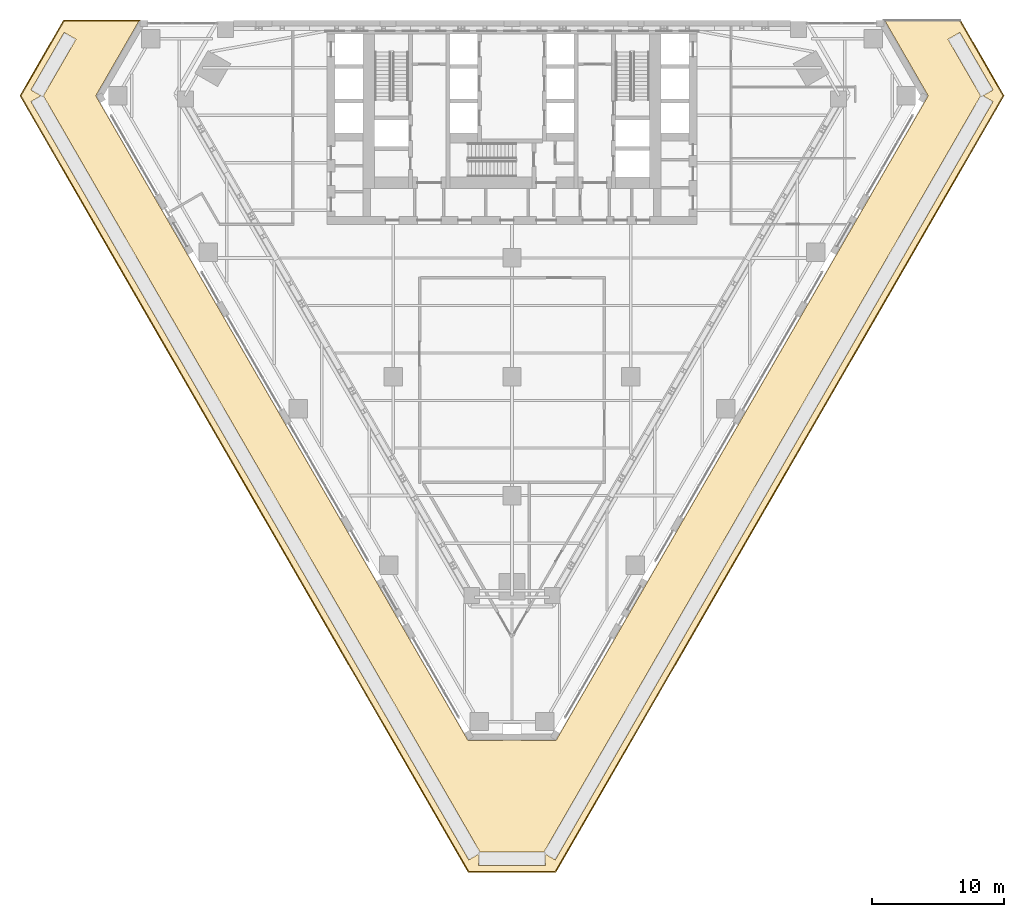
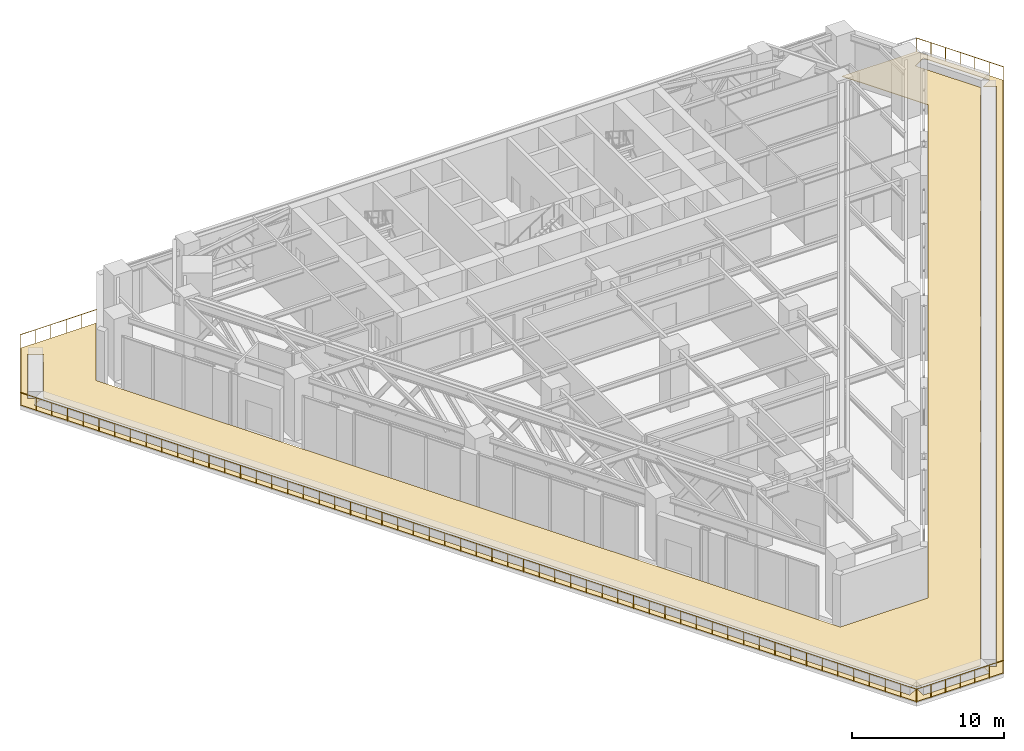
# One storey, part 23 of 25: 1 covering, 1 railing.
"""IFC4 building model written with IfcOpenShell, lengths in metres."""

import ifcopenshell
import ifcopenshell.guid

model = None  # the IFC model being written
_history = None  # IfcOwnerHistory: only IFC2X3 demands one
_inside = {}  # id of a spatial element -> (the spatial element, [elements in it])
_under = {}  # id of a project, library or spatial element -> (it, [spatial elements below it])
_declared = {}  # id of a project -> (the project, [libraries it declares])
_typed = {}  # id of a type object -> (the type object, [elements of that type])
_made_of = {}  # id of a material, layer set ... -> (it, [elements and type objects made of it])


def new_model(schema):
    """Start an empty IFC model of exactly this schema.

    Asked for "IFC4X3", IfcOpenShell would pick the latest addendum, in which some entities
    have other attributes; the version numbers below select the first issue.
    IFC2X3 requires an IfcOwnerHistory on every rooted entity: one is made here for all.
    """
    global model, _history
    if schema == "IFC4X3":
        model = ifcopenshell.file(schema_version=(4, 3, 0, 0))
    else:
        model = ifcopenshell.file(schema=schema)
    _inside.clear()
    _under.clear()
    _declared.clear()
    _typed.clear()
    _made_of.clear()
    _history = None
    if model.schema == "IFC2X3":
        org = make("IfcOrganization", Name="unknown")
        user = make(
            "IfcPersonAndOrganization",
            ThePerson=make("IfcPerson", FamilyName="unknown"),
            TheOrganization=org,
        )
        app = make(
            "IfcApplication",
            ApplicationDeveloper=org,
            Version="unknown",
            ApplicationFullName="unknown",
            ApplicationIdentifier="unknown",
        )
        _history = make(
            "IfcOwnerHistory",
            OwningUser=user,
            OwningApplication=app,
            ChangeAction="ADDED",
            CreationDate=0,
        )
    return model


def make(cls, **values):
    """One entity of the class cls with the attributes given. An attribute that is None is left unset."""
    return model.create_entity(
        cls, **{name: value for name, value in values.items() if value is not None}
    )


def rooted(cls, **values):
    """An entity with a GlobalId (a new one), such as an element, a storey or a relation."""
    return make(cls, GlobalId=ifcopenshell.guid.new(), OwnerHistory=_history, **values)


def si_unit(unit_type, name, prefix=None):
    """IfcSIUnit, for example si_unit("LENGTHUNIT", "METRE", prefix="MILLI")."""
    return make("IfcSIUnit", UnitType=unit_type, Prefix=prefix, Name=name)


def assignment(units):
    """IfcUnitAssignment: the units of a project."""
    return None if units is None else make("IfcUnitAssignment", Units=units)


def point(xyz):
    """IfcCartesianPoint."""
    return None if xyz is None else make("IfcCartesianPoint", Coordinates=xyz)


def direction(xyz):
    """IfcDirection."""
    return None if xyz is None else make("IfcDirection", DirectionRatios=xyz)


def frame(location, z_axis=None, x_axis=None):
    """IfcAxis2Placement3D, a coordinate frame: its origin and axes. An axis left out is left unset."""
    return make(
        "IfcAxis2Placement3D",
        Location=point(location),
        Axis=direction(z_axis),
        RefDirection=direction(x_axis),
    )


def frame_2d(location, x_axis=None):
    """IfcAxis2Placement2D, a coordinate frame in the plane: its origin and x axis."""
    return make(
        "IfcAxis2Placement2D", Location=point(location), RefDirection=direction(x_axis)
    )


def origin():
    """The frame at (0, 0, 0) with its axes left unset."""
    return frame((0.0, 0.0, 0.0))


def origin_2d():
    """The frame at (0, 0) in the plane with its x axis left unset."""
    return frame_2d((0.0, 0.0))


def place(relative_to, where):
    """IfcLocalPlacement: puts the frame where relative to a parent placement (None: the world)."""
    return make(
        "IfcLocalPlacement", PlacementRelTo=relative_to, RelativePlacement=where
    )


def context(
    kind, dimensions, precision=None, world=None, true_north=None, identifier=None
):
    """IfcGeometricRepresentationContext, for example the 3D "Model" context."""
    return make(
        "IfcGeometricRepresentationContext",
        ContextIdentifier=identifier,
        ContextType=kind,
        CoordinateSpaceDimension=dimensions,
        Precision=precision,
        WorldCoordinateSystem=world,
        TrueNorth=true_north,
    )


def subcontext(parent, identifier, kind, view, scale=None):
    """IfcGeometricRepresentationSubContext, for example "Body" below "Model"."""
    return make(
        "IfcGeometricRepresentationSubContext",
        ContextIdentifier=identifier,
        ContextType=kind,
        ParentContext=parent,
        TargetScale=scale,
        TargetView=view,
    )


def project(units=None, contexts=None):
    """IfcProject with its units and contexts."""
    return rooted(
        "IfcProject",
        Name="project",
        RepresentationContexts=contexts,
        UnitsInContext=assignment(units),
    )


def spatial(cls, under=None, at=None, **own):
    """A site, building, storey or space (cls), placed at a placement, below another one or the project."""
    s = rooted(cls, ObjectPlacement=at, **own)
    if under is not None:
        _under.setdefault(under.id(), (under, []))[1].append(s)
    return s


def polyline(points):
    """IfcPolyline through the points."""
    return make("IfcPolyline", Points=[point(p) for p in points])


def profile(cls, at=None, kind="AREA", **sizes):
    """A parametric profile (cls). Its sizes go by their IFC names, for example OverallWidth=200.0."""
    return make(cls, ProfileType=kind, Position=at, **sizes)


def circle(**sizes):
    """IfcCircleProfileDef."""
    return profile("IfcCircleProfileDef", **sizes)


def outline(outer, holes=None, kind="AREA"):
    """IfcArbitraryClosedProfileDef: a profile drawn as a closed curve; with holes, ...WithVoids."""
    if holes is None:
        return make("IfcArbitraryClosedProfileDef", ProfileType=kind, OuterCurve=outer)
    return make(
        "IfcArbitraryProfileDefWithVoids",
        ProfileType=kind,
        OuterCurve=outer,
        InnerCurves=holes,
    )


def extrude(swept, where, along, depth):
    """IfcExtrudedAreaSolid: the profile swept, set in the frame where, extruded along a direction by depth."""
    return make(
        "IfcExtrudedAreaSolid",
        SweptArea=swept,
        Position=where,
        ExtrudedDirection=direction(along),
        Depth=depth,
    )


def shape(context_of_items, identifier, shape_type, items):
    """IfcShapeRepresentation: the items that make up one representation, for example the "Body"."""
    return make(
        "IfcShapeRepresentation",
        ContextOfItems=context_of_items,
        RepresentationIdentifier=identifier,
        RepresentationType=shape_type,
        Items=items,
    )


def material(Name=None, Category=None):
    """IfcMaterial."""
    return make("IfcMaterial", Name=Name, Category=Category)


def layer(
    of_material, thickness, ventilated=None, Name=None, Category=None, Priority=None
):
    """IfcMaterialLayer: one layer of a wall or slab, of a material (None: an air gap)."""
    return make(
        "IfcMaterialLayer",
        Material=of_material,
        LayerThickness=thickness,
        IsVentilated=ventilated,
        Name=Name,
        Category=Category,
        Priority=Priority,
    )


def layer_set(layers, Name=None):
    """IfcMaterialLayerSet."""
    return make("IfcMaterialLayerSet", MaterialLayers=layers, LayerSetName=Name)


def made_of(thing, what):
    """Note that an element or type object is made of a material, layer set ...; save() writes the relation."""
    if what is not None:
        _made_of.setdefault(what.id(), (what, []))[1].append(thing)
    return thing


def type_object(cls, material=None, **own):
    """A type object (cls), such as IfcWallType, which elements share."""
    return made_of(rooted(cls, **own), material)


def element(
    cls,
    number,
    at=None,
    inside=None,
    cuts=None,
    type_object=None,
    material=None,
    context=None,
    identifier="Body",
    shape_type=None,
    held_by="IfcProductDefinitionShape",
    body=None,
    shapes=None,
    **own,
):
    """One element of the class cls, such as IfcWall. Its Tag is "e" and its number.

    at: its placement. inside: the storey or other place that contains it. cuts: it is an
    opening in that element (IfcRelVoidsElement). A single representation is given by context,
    identifier, shape_type and body (its items); several are given by shapes. held_by: the class
    of the entity that holds the representations. save() writes the other relations.
    """
    e = rooted(cls, Tag="e%d" % number, ObjectPlacement=at, **own)
    if body is not None:
        shapes = [shape(context, identifier, shape_type, body)]
    if shapes is not None:
        e.Representation = make(held_by, Representations=shapes)
    if inside is not None:
        _inside.setdefault(inside.id(), (inside, []))[1].append(e)
    if cuts is not None:
        rooted(
            "IfcRelVoidsElement", RelatingBuildingElement=cuts, RelatedOpeningElement=e
        )
    if type_object is not None:
        _typed.setdefault(type_object.id(), (type_object, []))[1].append(e)
    return made_of(e, material)


def aggregate(whole, parts):
    """IfcRelAggregates: a whole, such as a stair, and the parts it consists of."""
    return rooted("IfcRelAggregates", RelatingObject=whole, RelatedObjects=parts)


def save(model, path):
    """Write the relations noted so far, then the file.

    IfcRelAggregates (storeys below a building ...), IfcRelContainedInSpatialStructure (elements
    in a storey), IfcRelDefinesByType, IfcRelAssociatesMaterial and IfcRelDeclares: one each for
    every whole, place, type object, material and project.
    """
    for whole, parts in _under.values():
        aggregate(whole, parts)
    for where, things in _inside.values():
        rooted(
            "IfcRelContainedInSpatialStructure",
            RelatedElements=things,
            RelatingStructure=where,
        )
    for kind, things in _typed.values():
        rooted("IfcRelDefinesByType", RelatedObjects=things, RelatingType=kind)
    for what, things in _made_of.values():
        rooted("IfcRelAssociatesMaterial", RelatedObjects=things, RelatingMaterial=what)
    for by, libraries in _declared.values():
        rooted("IfcRelDeclares", RelatingContext=by, RelatedDefinitions=libraries)
    model.write(path)


model = new_model("IFC4")

# Units and contexts
model_context = context("Model", 3, precision=1e-05, world=origin(), true_north=direction((0.0, 1.0)))
body_context = subcontext(model_context, "Body", "Model", "MODEL_VIEW")
ifc_project = project(units=[si_unit("LENGTHUNIT", "METRE"), si_unit("AREAUNIT", "SQUARE_METRE"), si_unit("VOLUMEUNIT", "CUBIC_METRE"), si_unit("PLANEANGLEUNIT", "RADIAN"), si_unit("MASSUNIT", "GRAM", prefix="KILO")], contexts=[model_context])

# Site, building, storey
site_placement = place(None, origin())
site = spatial("IfcSite", under=ifc_project, at=site_placement, CompositionType="ELEMENT")
building_placement = place(site_placement, origin())
building = spatial("IfcBuilding", under=site, at=building_placement, Name="Aloe Facet Convention Tower", CompositionType="ELEMENT")
storey_placement = place(building_placement, frame((0.0, 0.0, 30.0)))
storey = spatial("IfcBuildingStorey", under=building, at=storey_placement, Name="L05", CompositionType="ELEMENT", Elevation=30.0)

# Railing
ifc_material_1 = material(Name="Steel S355, bronze oxide finish", Category="steel")
railing_type = type_object("IfcRailingType", Name="EV-GUARD-TERR", PredefinedType="GUARDRAIL", material=ifc_material_1)
railing_placement = place(storey_placement, frame((113.947021484375, 135.0, 0.0)))
element("IfcRailing", 1, at=railing_placement, inside=storey, type_object=railing_type, Name="GUARD PT-L05-1-1", PredefinedType="GUARDRAIL", context=body_context, shape_type="SweptSolid", body=[
    extrude(circle(Radius=0.02392578125, at=origin_2d()), frame((0.0, 0.0, 1.076171875), z_axis=(0.500002094529, -0.866024194504, 0.0), x_axis=(0.866024194504, 0.500002094529, 0.0)), (0.0, 0.0, 1.0), 6.60009765625),
    extrude(circle(Radius=0.02392578125, at=origin_2d()), frame((3.300048828125, -5.7158203125, 1.076171875), z_axis=(-0.500000729708, -0.866024982487, 0.0), x_axis=(0.866024982487, -0.500000729708, 0.0)), (0.0, 0.0, 1.0), 67.89404296875),
    extrude(circle(Radius=0.02392578125, at=origin_2d()), frame((-30.64697265625, -64.513671875, 1.076171875), z_axis=(-1.0, 0.0, 0.0), x_axis=(0.0, -1.0, 0.0)), (0.0, 0.0, 1.0), 6.60009765625),
    extrude(circle(Radius=0.02392578125, at=origin_2d()), frame((-37.2470703125, -64.513671875, 1.076171875), z_axis=(-0.500000729708, 0.866024982487, 0.0), x_axis=(-0.866024982487, -0.500000729708, 0.0)), (0.0, 0.0, 1.0), 67.89404296875),
    extrude(circle(Radius=0.02392578125, at=origin_2d()), frame((-71.194091796875, -5.7158203125, 1.076171875), z_axis=(0.500002094529, 0.866024194504, 0.0), x_axis=(-0.866024194504, 0.500002094529, 0.0)), (0.0, 0.0, 1.0), 6.60009765625),
    extrude(circle(Radius=0.02392578125, at=origin_2d()), frame((-67.89404296875, 0.0, 1.076171875), z_axis=(1.0, 0.0, 0.0), x_axis=(0.0, 1.0, 0.0)), (0.0, 0.0, 1.0), 5.7734375),
    extrude(circle(Radius=0.02099609375, at=origin_2d()), origin(), (0.0, 0.0, 1.0), 1.052001953125),
    extrude(circle(Radius=0.02099609375, at=origin_2d()), frame((0.550048828125, -0.95263671875, 0.0)), (0.0, 0.0, 1.0), 1.052001953125),
    extrude(circle(Radius=0.02099609375, at=origin_2d()), frame((1.10009765625, -1.9052734375, 0.0)), (0.0, 0.0, 1.0), 1.052001953125),
    extrude(circle(Radius=0.02099609375, at=origin_2d()), frame((1.64990234375, -2.85791015625, 0.0)), (0.0, 0.0, 1.0), 1.052001953125),
    extrude(circle(Radius=0.02099609375, at=origin_2d()), frame((2.199951171875, -3.810546875, 0.0)), (0.0, 0.0, 1.0), 1.052001953125),
    extrude(circle(Radius=0.02099609375, at=origin_2d()), frame((2.75, -4.76318359375, 0.0)), (0.0, 0.0, 1.0), 1.052001953125),
    extrude(circle(Radius=0.02099609375, at=origin_2d()), frame((3.300048828125, -5.7158203125, 0.0)), (0.0, 0.0, 1.0), 1.052001953125),
    extrude(circle(Radius=0.02099609375, at=origin_2d()), frame((2.70458984375, -6.747314453125, 0.0)), (0.0, 0.0, 1.0), 1.052001953125),
    extrude(circle(Radius=0.02099609375, at=origin_2d()), frame((2.10888671875, -7.77880859375, 0.0)), (0.0, 0.0, 1.0), 1.052001953125),
    extrude(circle(Radius=0.02099609375, at=origin_2d()), frame((1.513427734375, -8.810546875, 0.0)), (0.0, 0.0, 1.0), 1.052001953125),
    extrude(circle(Radius=0.02099609375, at=origin_2d()), frame((0.917724609375, -9.842041015625, 0.0)), (0.0, 0.0, 1.0), 1.052001953125),
    extrude(circle(Radius=0.02099609375, at=origin_2d()), frame((0.322265625, -10.87353515625, 0.0)), (0.0, 0.0, 1.0), 1.052001953125),
    extrude(circle(Radius=0.02099609375, at=origin_2d()), frame((-0.2734375, -11.905029296875, 0.0)), (0.0, 0.0, 1.0), 1.052001953125),
    extrude(circle(Radius=0.02099609375, at=origin_2d()), frame((-0.868896484375, -12.9365234375, 0.0)), (0.0, 0.0, 1.0), 1.052001953125),
    extrude(circle(Radius=0.02099609375, at=origin_2d()), frame((-1.46435546875, -13.96826171875, 0.0)), (0.0, 0.0, 1.0), 1.052001953125),
    extrude(circle(Radius=0.02099609375, at=origin_2d()), frame((-2.06005859375, -14.999755859375, 0.0)), (0.0, 0.0, 1.0), 1.052001953125),
    extrude(circle(Radius=0.02099609375, at=origin_2d()), frame((-2.655517578125, -16.03125, 0.0)), (0.0, 0.0, 1.0), 1.052001953125),
    extrude(circle(Radius=0.02099609375, at=origin_2d()), frame((-3.251220703125, -17.062744140625, 0.0)), (0.0, 0.0, 1.0), 1.052001953125),
    extrude(circle(Radius=0.02099609375, at=origin_2d()), frame((-3.8466796875, -18.09423828125, 0.0)), (0.0, 0.0, 1.0), 1.052001953125),
    extrude(circle(Radius=0.02099609375, at=origin_2d()), frame((-4.442138671875, -19.1259765625, 0.0)), (0.0, 0.0, 1.0), 1.052001953125),
    extrude(circle(Radius=0.02099609375, at=origin_2d()), frame((-5.037841796875, -20.157470703125, 0.0)), (0.0, 0.0, 1.0), 1.052001953125),
    extrude(circle(Radius=0.02099609375, at=origin_2d()), frame((-5.63330078125, -21.18896484375, 0.0)), (0.0, 0.0, 1.0), 1.052001953125),
    extrude(circle(Radius=0.02099609375, at=origin_2d()), frame((-6.22900390625, -22.220458984375, 0.0)), (0.0, 0.0, 1.0), 1.052001953125),
    extrude(circle(Radius=0.02099609375, at=origin_2d()), frame((-6.824462890625, -23.251953125, 0.0)), (0.0, 0.0, 1.0), 1.052001953125),
    extrude(circle(Radius=0.02099609375, at=origin_2d()), frame((-7.420166015625, -24.283447265625, 0.0)), (0.0, 0.0, 1.0), 1.052001953125),
    extrude(circle(Radius=0.02099609375, at=origin_2d()), frame((-8.015625, -25.315185546875, 0.0)), (0.0, 0.0, 1.0), 1.052001953125),
    extrude(circle(Radius=0.02099609375, at=origin_2d()), frame((-8.611083984375, -26.3466796875, 0.0)), (0.0, 0.0, 1.0), 1.052001953125),
    extrude(circle(Radius=0.02099609375, at=origin_2d()), frame((-9.206787109375, -27.378173828125, 0.0)), (0.0, 0.0, 1.0), 1.052001953125),
    extrude(circle(Radius=0.02099609375, at=origin_2d()), frame((-9.80224609375, -28.40966796875, 0.0)), (0.0, 0.0, 1.0), 1.052001953125),
    extrude(circle(Radius=0.02099609375, at=origin_2d()), frame((-10.39794921875, -29.441162109375, 0.0)), (0.0, 0.0, 1.0), 1.052001953125),
    extrude(circle(Radius=0.02099609375, at=origin_2d()), frame((-10.993408203125, -30.472900390625, 0.0)), (0.0, 0.0, 1.0), 1.052001953125),
    extrude(circle(Radius=0.02099609375, at=origin_2d()), frame((-11.589111328125, -31.50439453125, 0.0)), (0.0, 0.0, 1.0), 1.052001953125),
    extrude(circle(Radius=0.02099609375, at=origin_2d()), frame((-12.1845703125, -32.535888671875, 0.0)), (0.0, 0.0, 1.0), 1.052001953125),
    extrude(circle(Radius=0.02099609375, at=origin_2d()), frame((-12.780029296875, -33.5673828125, 0.0)), (0.0, 0.0, 1.0), 1.052001953125),
    extrude(circle(Radius=0.02099609375, at=origin_2d()), frame((-13.375732421875, -34.598876953125, 0.0)), (0.0, 0.0, 1.0), 1.052001953125),
    extrude(circle(Radius=0.02099609375, at=origin_2d()), frame((-13.97119140625, -35.630615234375, 0.0)), (0.0, 0.0, 1.0), 1.052001953125),
    extrude(circle(Radius=0.02099609375, at=origin_2d()), frame((-14.56689453125, -36.662109375, 0.0)), (0.0, 0.0, 1.0), 1.052001953125),
    extrude(circle(Radius=0.02099609375, at=origin_2d()), frame((-15.162353515625, -37.693603515625, 0.0)), (0.0, 0.0, 1.0), 1.052001953125),
    extrude(circle(Radius=0.02099609375, at=origin_2d()), frame((-15.7578125, -38.72509765625, 0.0)), (0.0, 0.0, 1.0), 1.052001953125),
    extrude(circle(Radius=0.02099609375, at=origin_2d()), frame((-16.353515625, -39.756591796875, 0.0)), (0.0, 0.0, 1.0), 1.052001953125),
    extrude(circle(Radius=0.02099609375, at=origin_2d()), frame((-16.948974609375, -40.788330078125, 0.0)), (0.0, 0.0, 1.0), 1.052001953125),
    extrude(circle(Radius=0.02099609375, at=origin_2d()), frame((-17.544677734375, -41.81982421875, 0.0)), (0.0, 0.0, 1.0), 1.052001953125),
    extrude(circle(Radius=0.02099609375, at=origin_2d()), frame((-18.14013671875, -42.851318359375, 0.0)), (0.0, 0.0, 1.0), 1.052001953125),
    extrude(circle(Radius=0.02099609375, at=origin_2d()), frame((-18.73583984375, -43.8828125, 0.0)), (0.0, 0.0, 1.0), 1.052001953125),
    extrude(circle(Radius=0.02099609375, at=origin_2d()), frame((-19.331298828125, -44.914306640625, 0.0)), (0.0, 0.0, 1.0), 1.052001953125),
    extrude(circle(Radius=0.02099609375, at=origin_2d()), frame((-19.9267578125, -45.946044921875, 0.0)), (0.0, 0.0, 1.0), 1.052001953125),
    extrude(circle(Radius=0.02099609375, at=origin_2d()), frame((-20.5224609375, -46.9775390625, 0.0)), (0.0, 0.0, 1.0), 1.052001953125),
    extrude(circle(Radius=0.02099609375, at=origin_2d()), frame((-21.117919921875, -48.009033203125, 0.0)), (0.0, 0.0, 1.0), 1.052001953125),
    extrude(circle(Radius=0.02099609375, at=origin_2d()), frame((-21.713623046875, -49.04052734375, 0.0)), (0.0, 0.0, 1.0), 1.052001953125),
    extrude(circle(Radius=0.02099609375, at=origin_2d()), frame((-22.30908203125, -50.072021484375, 0.0)), (0.0, 0.0, 1.0), 1.052001953125),
    extrude(circle(Radius=0.02099609375, at=origin_2d()), frame((-22.90478515625, -51.103515625, 0.0)), (0.0, 0.0, 1.0), 1.052001953125),
    extrude(circle(Radius=0.02099609375, at=origin_2d()), frame((-23.500244140625, -52.13525390625, 0.0)), (0.0, 0.0, 1.0), 1.052001953125),
    extrude(circle(Radius=0.02099609375, at=origin_2d()), frame((-24.095703125, -53.166748046875, 0.0)), (0.0, 0.0, 1.0), 1.052001953125),
    extrude(circle(Radius=0.02099609375, at=origin_2d()), frame((-24.69140625, -54.1982421875, 0.0)), (0.0, 0.0, 1.0), 1.052001953125),
    extrude(circle(Radius=0.02099609375, at=origin_2d()), frame((-25.286865234375, -55.229736328125, 0.0)), (0.0, 0.0, 1.0), 1.052001953125),
    extrude(circle(Radius=0.02099609375, at=origin_2d()), frame((-25.882568359375, -56.26123046875, 0.0)), (0.0, 0.0, 1.0), 1.052001953125),
    extrude(circle(Radius=0.02099609375, at=origin_2d()), frame((-26.47802734375, -57.29296875, 0.0)), (0.0, 0.0, 1.0), 1.052001953125),
    extrude(circle(Radius=0.02099609375, at=origin_2d()), frame((-27.073486328125, -58.324462890625, 0.0)), (0.0, 0.0, 1.0), 1.052001953125),
    extrude(circle(Radius=0.02099609375, at=origin_2d()), frame((-27.669189453125, -59.35595703125, 0.0)), (0.0, 0.0, 1.0), 1.052001953125),
    extrude(circle(Radius=0.02099609375, at=origin_2d()), frame((-28.2646484375, -60.387451171875, 0.0)), (0.0, 0.0, 1.0), 1.052001953125),
    extrude(circle(Radius=0.02099609375, at=origin_2d()), frame((-28.8603515625, -61.4189453125, 0.0)), (0.0, 0.0, 1.0), 1.052001953125),
    extrude(circle(Radius=0.02099609375, at=origin_2d()), frame((-29.455810546875, -62.45068359375, 0.0)), (0.0, 0.0, 1.0), 1.052001953125),
    extrude(circle(Radius=0.02099609375, at=origin_2d()), frame((-30.051513671875, -63.482177734375, 0.0)), (0.0, 0.0, 1.0), 1.052001953125),
    extrude(circle(Radius=0.02099609375, at=origin_2d()), frame((-30.64697265625, -64.513671875, 0.0)), (0.0, 0.0, 1.0), 1.052001953125),
    extrude(circle(Radius=0.02099609375, at=origin_2d()), frame((-31.7470703125, -64.513671875, 0.0)), (0.0, 0.0, 1.0), 1.052001953125),
    extrude(circle(Radius=0.02099609375, at=origin_2d()), frame((-32.846923828125, -64.513671875, 0.0)), (0.0, 0.0, 1.0), 1.052001953125),
    extrude(circle(Radius=0.02099609375, at=origin_2d()), frame((-33.947021484375, -64.513671875, 0.0)), (0.0, 0.0, 1.0), 1.052001953125),
    extrude(circle(Radius=0.02099609375, at=origin_2d()), frame((-35.047119140625, -64.513671875, 0.0)), (0.0, 0.0, 1.0), 1.052001953125),
    extrude(circle(Radius=0.02099609375, at=origin_2d()), frame((-36.14697265625, -64.513671875, 0.0)), (0.0, 0.0, 1.0), 1.052001953125),
    extrude(circle(Radius=0.02099609375, at=origin_2d()), frame((-37.2470703125, -64.513671875, 0.0)), (0.0, 0.0, 1.0), 1.052001953125),
    extrude(circle(Radius=0.02099609375, at=origin_2d()), frame((-37.842529296875, -63.482177734375, 0.0)), (0.0, 0.0, 1.0), 1.052001953125),
    extrude(circle(Radius=0.02099609375, at=origin_2d()), frame((-38.438232421875, -62.45068359375, 0.0)), (0.0, 0.0, 1.0), 1.052001953125),
    extrude(circle(Radius=0.02099609375, at=origin_2d()), frame((-39.03369140625, -61.4189453125, 0.0)), (0.0, 0.0, 1.0), 1.052001953125),
    extrude(circle(Radius=0.02099609375, at=origin_2d()), frame((-39.62939453125, -60.387451171875, 0.0)), (0.0, 0.0, 1.0), 1.052001953125),
    extrude(circle(Radius=0.02099609375, at=origin_2d()), frame((-40.224853515625, -59.35595703125, 0.0)), (0.0, 0.0, 1.0), 1.052001953125),
    extrude(circle(Radius=0.02099609375, at=origin_2d()), frame((-40.820556640625, -58.324462890625, 0.0)), (0.0, 0.0, 1.0), 1.052001953125),
    extrude(circle(Radius=0.02099609375, at=origin_2d()), frame((-41.416015625, -57.29296875, 0.0)), (0.0, 0.0, 1.0), 1.052001953125),
    extrude(circle(Radius=0.02099609375, at=origin_2d()), frame((-42.011474609375, -56.26123046875, 0.0)), (0.0, 0.0, 1.0), 1.052001953125),
    extrude(circle(Radius=0.02099609375, at=origin_2d()), frame((-42.607177734375, -55.229736328125, 0.0)), (0.0, 0.0, 1.0), 1.052001953125),
    extrude(circle(Radius=0.02099609375, at=origin_2d()), frame((-43.20263671875, -54.1982421875, 0.0)), (0.0, 0.0, 1.0), 1.052001953125),
    extrude(circle(Radius=0.02099609375, at=origin_2d()), frame((-43.79833984375, -53.166748046875, 0.0)), (0.0, 0.0, 1.0), 1.052001953125),
    extrude(circle(Radius=0.02099609375, at=origin_2d()), frame((-44.393798828125, -52.13525390625, 0.0)), (0.0, 0.0, 1.0), 1.052001953125),
    extrude(circle(Radius=0.02099609375, at=origin_2d()), frame((-44.9892578125, -51.103515625, 0.0)), (0.0, 0.0, 1.0), 1.052001953125),
    extrude(circle(Radius=0.02099609375, at=origin_2d()), frame((-45.5849609375, -50.072021484375, 0.0)), (0.0, 0.0, 1.0), 1.052001953125),
    extrude(circle(Radius=0.02099609375, at=origin_2d()), frame((-46.180419921875, -49.04052734375, 0.0)), (0.0, 0.0, 1.0), 1.052001953125),
    extrude(circle(Radius=0.02099609375, at=origin_2d()), frame((-46.776123046875, -48.009033203125, 0.0)), (0.0, 0.0, 1.0), 1.052001953125),
    extrude(circle(Radius=0.02099609375, at=origin_2d()), frame((-47.37158203125, -46.9775390625, 0.0)), (0.0, 0.0, 1.0), 1.052001953125),
    extrude(circle(Radius=0.02099609375, at=origin_2d()), frame((-47.96728515625, -45.946044921875, 0.0)), (0.0, 0.0, 1.0), 1.052001953125),
    extrude(circle(Radius=0.02099609375, at=origin_2d()), frame((-48.562744140625, -44.914306640625, 0.0)), (0.0, 0.0, 1.0), 1.052001953125),
    extrude(circle(Radius=0.02099609375, at=origin_2d()), frame((-49.158203125, -43.8828125, 0.0)), (0.0, 0.0, 1.0), 1.052001953125),
    extrude(circle(Radius=0.02099609375, at=origin_2d()), frame((-49.75390625, -42.851318359375, 0.0)), (0.0, 0.0, 1.0), 1.052001953125),
    extrude(circle(Radius=0.02099609375, at=origin_2d()), frame((-50.349365234375, -41.81982421875, 0.0)), (0.0, 0.0, 1.0), 1.052001953125),
    extrude(circle(Radius=0.02099609375, at=origin_2d()), frame((-50.945068359375, -40.788330078125, 0.0)), (0.0, 0.0, 1.0), 1.052001953125),
    extrude(circle(Radius=0.02099609375, at=origin_2d()), frame((-51.54052734375, -39.756591796875, 0.0)), (0.0, 0.0, 1.0), 1.052001953125),
    extrude(circle(Radius=0.02099609375, at=origin_2d()), frame((-52.13623046875, -38.72509765625, 0.0)), (0.0, 0.0, 1.0), 1.052001953125),
    extrude(circle(Radius=0.02099609375, at=origin_2d()), frame((-52.731689453125, -37.693603515625, 0.0)), (0.0, 0.0, 1.0), 1.052001953125),
    extrude(circle(Radius=0.02099609375, at=origin_2d()), frame((-53.3271484375, -36.662109375, 0.0)), (0.0, 0.0, 1.0), 1.052001953125),
    extrude(circle(Radius=0.02099609375, at=origin_2d()), frame((-53.9228515625, -35.630615234375, 0.0)), (0.0, 0.0, 1.0), 1.052001953125),
    extrude(circle(Radius=0.02099609375, at=origin_2d()), frame((-54.518310546875, -34.598876953125, 0.0)), (0.0, 0.0, 1.0), 1.052001953125),
    extrude(circle(Radius=0.02099609375, at=origin_2d()), frame((-55.114013671875, -33.5673828125, 0.0)), (0.0, 0.0, 1.0), 1.052001953125),
    extrude(circle(Radius=0.02099609375, at=origin_2d()), frame((-55.70947265625, -32.535888671875, 0.0)), (0.0, 0.0, 1.0), 1.052001953125),
    extrude(circle(Radius=0.02099609375, at=origin_2d()), frame((-56.304931640625, -31.50439453125, 0.0)), (0.0, 0.0, 1.0), 1.052001953125),
    extrude(circle(Radius=0.02099609375, at=origin_2d()), frame((-56.900634765625, -30.472900390625, 0.0)), (0.0, 0.0, 1.0), 1.052001953125),
    extrude(circle(Radius=0.02099609375, at=origin_2d()), frame((-57.49609375, -29.441162109375, 0.0)), (0.0, 0.0, 1.0), 1.052001953125),
    extrude(circle(Radius=0.02099609375, at=origin_2d()), frame((-58.091796875, -28.40966796875, 0.0)), (0.0, 0.0, 1.0), 1.052001953125),
    extrude(circle(Radius=0.02099609375, at=origin_2d()), frame((-58.687255859375, -27.378173828125, 0.0)), (0.0, 0.0, 1.0), 1.052001953125),
    extrude(circle(Radius=0.02099609375, at=origin_2d()), frame((-59.282958984375, -26.3466796875, 0.0)), (0.0, 0.0, 1.0), 1.052001953125),
    extrude(circle(Radius=0.02099609375, at=origin_2d()), frame((-59.87841796875, -25.315185546875, 0.0)), (0.0, 0.0, 1.0), 1.052001953125),
    extrude(circle(Radius=0.02099609375, at=origin_2d()), frame((-60.473876953125, -24.283447265625, 0.0)), (0.0, 0.0, 1.0), 1.052001953125),
    extrude(circle(Radius=0.02099609375, at=origin_2d()), frame((-61.069580078125, -23.251953125, 0.0)), (0.0, 0.0, 1.0), 1.052001953125),
    extrude(circle(Radius=0.02099609375, at=origin_2d()), frame((-61.6650390625, -22.220458984375, 0.0)), (0.0, 0.0, 1.0), 1.052001953125),
    extrude(circle(Radius=0.02099609375, at=origin_2d()), frame((-62.2607421875, -21.18896484375, 0.0)), (0.0, 0.0, 1.0), 1.052001953125),
    extrude(circle(Radius=0.02099609375, at=origin_2d()), frame((-62.856201171875, -20.157470703125, 0.0)), (0.0, 0.0, 1.0), 1.052001953125),
    extrude(circle(Radius=0.02099609375, at=origin_2d()), frame((-63.451904296875, -19.1259765625, 0.0)), (0.0, 0.0, 1.0), 1.052001953125),
    extrude(circle(Radius=0.02099609375, at=origin_2d()), frame((-64.04736328125, -18.09423828125, 0.0)), (0.0, 0.0, 1.0), 1.052001953125),
    extrude(circle(Radius=0.02099609375, at=origin_2d()), frame((-64.642822265625, -17.062744140625, 0.0)), (0.0, 0.0, 1.0), 1.052001953125),
    extrude(circle(Radius=0.02099609375, at=origin_2d()), frame((-65.238525390625, -16.03125, 0.0)), (0.0, 0.0, 1.0), 1.052001953125),
    extrude(circle(Radius=0.02099609375, at=origin_2d()), frame((-65.833984375, -14.999755859375, 0.0)), (0.0, 0.0, 1.0), 1.052001953125),
    extrude(circle(Radius=0.02099609375, at=origin_2d()), frame((-66.4296875, -13.96826171875, 0.0)), (0.0, 0.0, 1.0), 1.052001953125),
    extrude(circle(Radius=0.02099609375, at=origin_2d()), frame((-67.025146484375, -12.9365234375, 0.0)), (0.0, 0.0, 1.0), 1.052001953125),
    extrude(circle(Radius=0.02099609375, at=origin_2d()), frame((-67.62060546875, -11.905029296875, 0.0)), (0.0, 0.0, 1.0), 1.052001953125),
    extrude(circle(Radius=0.02099609375, at=origin_2d()), frame((-68.21630859375, -10.87353515625, 0.0)), (0.0, 0.0, 1.0), 1.052001953125),
    extrude(circle(Radius=0.02099609375, at=origin_2d()), frame((-68.811767578125, -9.842041015625, 0.0)), (0.0, 0.0, 1.0), 1.052001953125),
    extrude(circle(Radius=0.02099609375, at=origin_2d()), frame((-69.407470703125, -8.810546875, 0.0)), (0.0, 0.0, 1.0), 1.052001953125),
    extrude(circle(Radius=0.02099609375, at=origin_2d()), frame((-70.0029296875, -7.77880859375, 0.0)), (0.0, 0.0, 1.0), 1.052001953125),
    extrude(circle(Radius=0.02099609375, at=origin_2d()), frame((-70.5986328125, -6.747314453125, 0.0)), (0.0, 0.0, 1.0), 1.052001953125),
    extrude(circle(Radius=0.02099609375, at=origin_2d()), frame((-71.194091796875, -5.7158203125, 0.0)), (0.0, 0.0, 1.0), 1.052001953125),
    extrude(circle(Radius=0.02099609375, at=origin_2d()), frame((-70.64404296875, -4.76318359375, 0.0)), (0.0, 0.0, 1.0), 1.052001953125),
    extrude(circle(Radius=0.02099609375, at=origin_2d()), frame((-70.093994140625, -3.810546875, 0.0)), (0.0, 0.0, 1.0), 1.052001953125),
    extrude(circle(Radius=0.02099609375, at=origin_2d()), frame((-69.5439453125, -2.85791015625, 0.0)), (0.0, 0.0, 1.0), 1.052001953125),
    extrude(circle(Radius=0.02099609375, at=origin_2d()), frame((-68.994140625, -1.9052734375, 0.0)), (0.0, 0.0, 1.0), 1.052001953125),
    extrude(circle(Radius=0.02099609375, at=origin_2d()), frame((-68.444091796875, -0.95263671875, 0.0)), (0.0, 0.0, 1.0), 1.052001953125),
    extrude(circle(Radius=0.02099609375, at=origin_2d()), frame((-67.89404296875, 0.0, 0.0)), (0.0, 0.0, 1.0), 1.052001953125),
    extrude(circle(Radius=0.02099609375, at=origin_2d()), frame((-66.7392578125, 0.0, 0.0)), (0.0, 0.0, 1.0), 1.052001953125),
    extrude(circle(Radius=0.02099609375, at=origin_2d()), frame((-65.584716796875, 0.0, 0.0)), (0.0, 0.0, 1.0), 1.052001953125),
    extrude(circle(Radius=0.02099609375, at=origin_2d()), frame((-64.429931640625, 0.0, 0.0)), (0.0, 0.0, 1.0), 1.052001953125),
    extrude(circle(Radius=0.02099609375, at=origin_2d()), frame((-63.275390625, 0.0, 0.0)), (0.0, 0.0, 1.0), 1.052001953125),
    extrude(circle(Radius=0.02099609375, at=origin_2d()), frame((-62.12060546875, 0.0, 0.0)), (0.0, 0.0, 1.0), 1.052001953125),
])

# Covering
ifc_material_2 = material(Name="Granite paving, bedded", Category="masonry")
ifc_layer = layer(ifc_material_2, 0.0400390625)
ifc_layer_set = layer_set([ifc_layer], Name="EV-PAVING")
covering_type = type_object("IfcCoveringType", Name="EV-PAVING", PredefinedType="FLOORING", material=ifc_layer_set)
covering_placement = place(storey_placement, origin())
element("IfcCovering", 2, at=covering_placement, inside=storey, type_object=covering_type, Name="PAVING PT-L05-1-1", PredefinedType="FLOORING", context=body_context, shape_type="SweptSolid", body=[
    extrude(outline(polyline([(117.189208984375, 129.2841796875), (83.271240234375, 70.536376953125), (76.728759765625, 70.536376953125), (42.810791015625, 129.2841796875), (46.081787109375, 134.949951171875), (51.739990234375, 134.949951171875), (48.483154296875, 129.309326171875), (48.48095703125, 129.304931640625), (48.479248046875, 129.300537109375), (48.47802734375, 129.2958984375), (48.47705078125, 129.291259765625), (48.4765625, 129.28662109375), (48.4765625, 129.28173828125), (48.47705078125, 129.277099609375), (48.47802734375, 129.2724609375), (48.479248046875, 129.267822265625), (48.48095703125, 129.263427734375), (48.483154296875, 129.25927734375), (76.65673828125, 80.461181640625), (76.6591796875, 80.457275390625), (76.662109375, 80.45361328125), (76.66552734375, 80.4501953125), (76.669189453125, 80.447021484375), (76.6728515625, 80.4443359375), (76.677001953125, 80.44189453125), (76.681396484375, 80.43994140625), (76.68603515625, 80.438232421875), (76.6904296875, 80.437255859375), (76.6953125, 80.4365234375), (76.699951171875, 80.436279296875), (83.300048828125, 80.436279296875), (83.3046875, 80.4365234375), (83.3095703125, 80.437255859375), (83.31396484375, 80.438232421875), (83.318603515625, 80.43994140625), (83.322998046875, 80.44189453125), (83.3271484375, 80.4443359375), (83.330810546875, 80.447021484375), (83.33447265625, 80.4501953125), (83.337890625, 80.45361328125), (83.3408203125, 80.457275390625), (83.34326171875, 80.461181640625), (111.516845703125, 129.25927734375), (111.51904296875, 129.263427734375), (111.520751953125, 129.267822265625), (111.52197265625, 129.2724609375), (111.52294921875, 129.277099609375), (111.5234375, 129.28173828125), (111.5234375, 129.28662109375), (111.52294921875, 129.291259765625), (111.52197265625, 129.2958984375), (111.520751953125, 129.300537109375), (111.51904296875, 129.304931640625), (111.516845703125, 129.309326171875), (108.260009765625, 134.949951171875), (113.918212890625, 134.949951171875), (117.189208984375, 129.2841796875)]), holes=[polyline([(77.47998046875, 71.83740234375), (77.47998046875, 70.986328125), (77.47998046875, 70.984375), (77.48046875, 70.982421875), (77.48095703125, 70.98046875), (77.4814453125, 70.978759765625), (77.482421875, 70.976806640625), (77.4833984375, 70.97509765625), (77.484619140625, 70.9736328125), (77.48583984375, 70.97216796875), (77.4873046875, 70.970947265625), (77.48876953125, 70.9697265625), (77.490478515625, 70.96875), (77.492431640625, 70.9677734375), (77.494140625, 70.967041015625), (77.49609375, 70.966796875), (77.498046875, 70.96630859375), (77.5, 70.96630859375), (82.5, 70.96630859375), (82.501953125, 70.96630859375), (82.50390625, 70.966796875), (82.505859375, 70.967041015625), (82.507568359375, 70.9677734375), (82.509521484375, 70.96875), (82.51123046875, 70.9697265625), (82.5126953125, 70.970947265625), (82.51416015625, 70.97216796875), (82.515380859375, 70.9736328125), (82.5166015625, 70.97509765625), (82.517578125, 70.976806640625), (82.5185546875, 70.978759765625), (82.51904296875, 70.98046875), (82.51953125, 70.982421875), (82.52001953125, 70.984375), (82.52001953125, 70.986328125), (82.52001953125, 71.83740234375), (83.257080078125, 71.411865234375), (83.2587890625, 71.410888671875), (83.260498046875, 71.41015625), (83.262451171875, 71.40966796875), (83.264404296875, 71.4091796875), (83.266357421875, 71.4091796875), (83.268310546875, 71.4091796875), (83.270263671875, 71.409423828125), (83.272216796875, 71.409912109375), (83.27392578125, 71.410400390625), (83.27587890625, 71.4111328125), (83.277587890625, 71.412109375), (83.279052734375, 71.413330078125), (83.28076171875, 71.41455078125), (83.281982421875, 71.416015625), (83.283203125, 71.41748046875), (83.284423828125, 71.419189453125), (116.431396484375, 128.831298828125), (116.43212890625, 128.833251953125), (116.432861328125, 128.8349609375), (116.433349609375, 128.8369140625), (116.433837890625, 128.8388671875), (116.43408203125, 128.8408203125), (116.433837890625, 128.8427734375), (116.433837890625, 128.8447265625), (116.433349609375, 128.8466796875), (116.4326171875, 128.848388671875), (116.431884765625, 128.850341796875), (116.430908203125, 128.85205078125), (116.429931640625, 128.853515625), (116.4287109375, 128.85498046875), (116.42724609375, 128.8564453125), (116.425537109375, 128.857666015625), (116.424072265625, 128.858642578125), (115.68701171875, 129.2841796875), (116.424072265625, 129.709716796875), (116.425537109375, 129.710693359375), (116.42724609375, 129.7119140625), (116.4287109375, 129.71337890625), (116.429931640625, 129.71484375), (116.430908203125, 129.716552734375), (116.431884765625, 129.71826171875), (116.4326171875, 129.719970703125), (116.433349609375, 129.721923828125), (116.433837890625, 129.723876953125), (116.433837890625, 129.725830078125), (116.43408203125, 129.727783203125), (116.433837890625, 129.729736328125), (116.433349609375, 129.731689453125), (116.432861328125, 129.7333984375), (116.43212890625, 129.7353515625), (116.431396484375, 129.737060546875), (113.931396484375, 134.067138671875), (113.93017578125, 134.06884765625), (113.928955078125, 134.0703125), (113.927734375, 134.07177734375), (113.92626953125, 134.072998046875), (113.924560546875, 134.07421875), (113.9228515625, 134.0751953125), (113.921142578125, 134.075927734375), (113.919189453125, 134.076416015625), (113.917236328125, 134.076904296875), (113.915283203125, 134.0771484375), (113.913330078125, 134.0771484375), (113.911376953125, 134.076904296875), (113.909423828125, 134.07666015625), (113.907470703125, 134.076171875), (113.90576171875, 134.075439453125), (113.904052734375, 134.074462890625), (113.0380859375, 133.574462890625), (113.036376953125, 133.573486328125), (113.03466796875, 133.572265625), (113.033447265625, 133.57080078125), (113.031982421875, 133.5693359375), (113.031005859375, 133.567626953125), (113.030029296875, 133.56591796875), (113.029296875, 133.564208984375), (113.028564453125, 133.562255859375), (113.0283203125, 133.560546875), (113.028076171875, 133.55859375), (113.028076171875, 133.556640625), (113.028076171875, 133.5546875), (113.028564453125, 133.552734375), (113.029052734375, 133.55078125), (113.02978515625, 133.548828125), (113.03076171875, 133.547119140625), (115.491943359375, 129.2841796875), (82.42236328125, 72.00634765625), (77.57763671875, 72.00634765625), (44.508056640625, 129.2841796875), (46.96923828125, 133.547119140625), (46.97021484375, 133.548828125), (46.970947265625, 133.55078125), (46.971435546875, 133.552734375), (46.971923828125, 133.5546875), (46.971923828125, 133.556640625), (46.971923828125, 133.55859375), (46.9716796875, 133.560546875), (46.971435546875, 133.562255859375), (46.970703125, 133.564208984375), (46.969970703125, 133.56591796875), (46.968994140625, 133.567626953125), (46.968017578125, 133.5693359375), (46.966552734375, 133.57080078125), (46.96533203125, 133.572265625), (46.963623046875, 133.573486328125), (46.9619140625, 133.574462890625), (46.095947265625, 134.074462890625), (46.09423828125, 134.075439453125), (46.092529296875, 134.076171875), (46.090576171875, 134.07666015625), (46.088623046875, 134.076904296875), (46.086669921875, 134.0771484375), (46.084716796875, 134.0771484375), (46.082763671875, 134.076904296875), (46.080810546875, 134.076416015625), (46.078857421875, 134.075927734375), (46.0771484375, 134.0751953125), (46.075439453125, 134.07421875), (46.07373046875, 134.072998046875), (46.072265625, 134.07177734375), (46.071044921875, 134.0703125), (46.06982421875, 134.06884765625), (46.068603515625, 134.067138671875), (43.568603515625, 129.737060546875), (43.56787109375, 129.7353515625), (43.567138671875, 129.7333984375), (43.566650390625, 129.731689453125), (43.566162109375, 129.729736328125), (43.56591796875, 129.727783203125), (43.566162109375, 129.725830078125), (43.566162109375, 129.723876953125), (43.566650390625, 129.721923828125), (43.5673828125, 129.719970703125), (43.568115234375, 129.71826171875), (43.569091796875, 129.716552734375), (43.570068359375, 129.71484375), (43.5712890625, 129.71337890625), (43.57275390625, 129.7119140625), (43.574462890625, 129.710693359375), (43.575927734375, 129.709716796875), (44.31298828125, 129.2841796875), (43.575927734375, 128.858642578125), (43.574462890625, 128.857666015625), (43.57275390625, 128.8564453125), (43.5712890625, 128.85498046875), (43.570068359375, 128.853515625), (43.569091796875, 128.85205078125), (43.568115234375, 128.850341796875), (43.5673828125, 128.848388671875), (43.566650390625, 128.8466796875), (43.566162109375, 128.8447265625), (43.566162109375, 128.8427734375), (43.56591796875, 128.8408203125), (43.566162109375, 128.8388671875), (43.566650390625, 128.8369140625), (43.567138671875, 128.8349609375), (43.56787109375, 128.833251953125), (43.568603515625, 128.831298828125), (76.715576171875, 71.419189453125), (76.716796875, 71.41748046875), (76.718017578125, 71.416015625), (76.71923828125, 71.41455078125), (76.720947265625, 71.413330078125), (76.722412109375, 71.412109375), (76.72412109375, 71.4111328125), (76.72607421875, 71.410400390625), (76.727783203125, 71.409912109375), (76.729736328125, 71.409423828125), (76.731689453125, 71.4091796875), (76.733642578125, 71.4091796875), (76.735595703125, 71.4091796875), (76.737548828125, 71.40966796875), (76.739501953125, 71.41015625), (76.7412109375, 71.410888671875), (76.742919921875, 71.411865234375), (77.47998046875, 71.83740234375)])]), origin(), (0.0, 0.0, 1.0), 0.0400390625),
])

save(model, "model.ifc")
